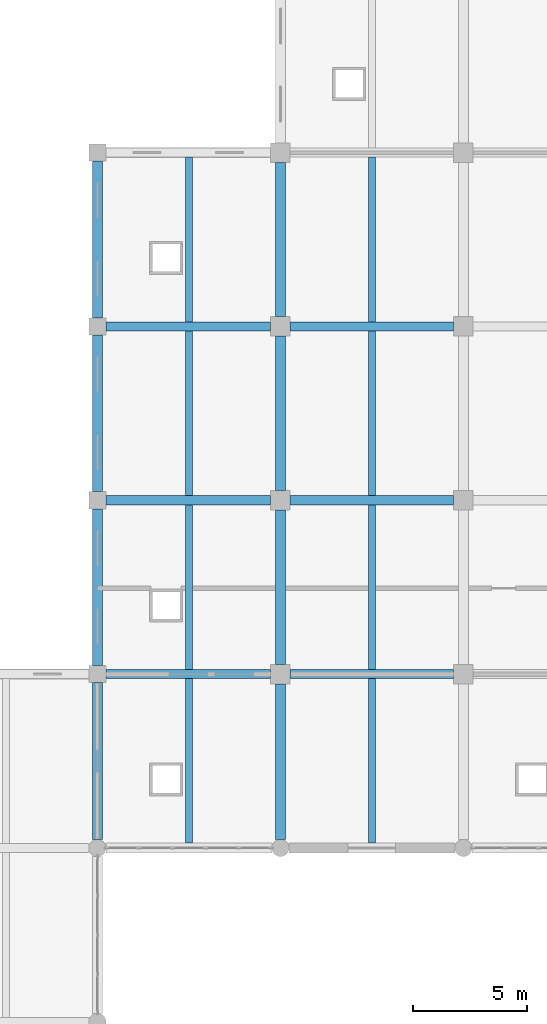
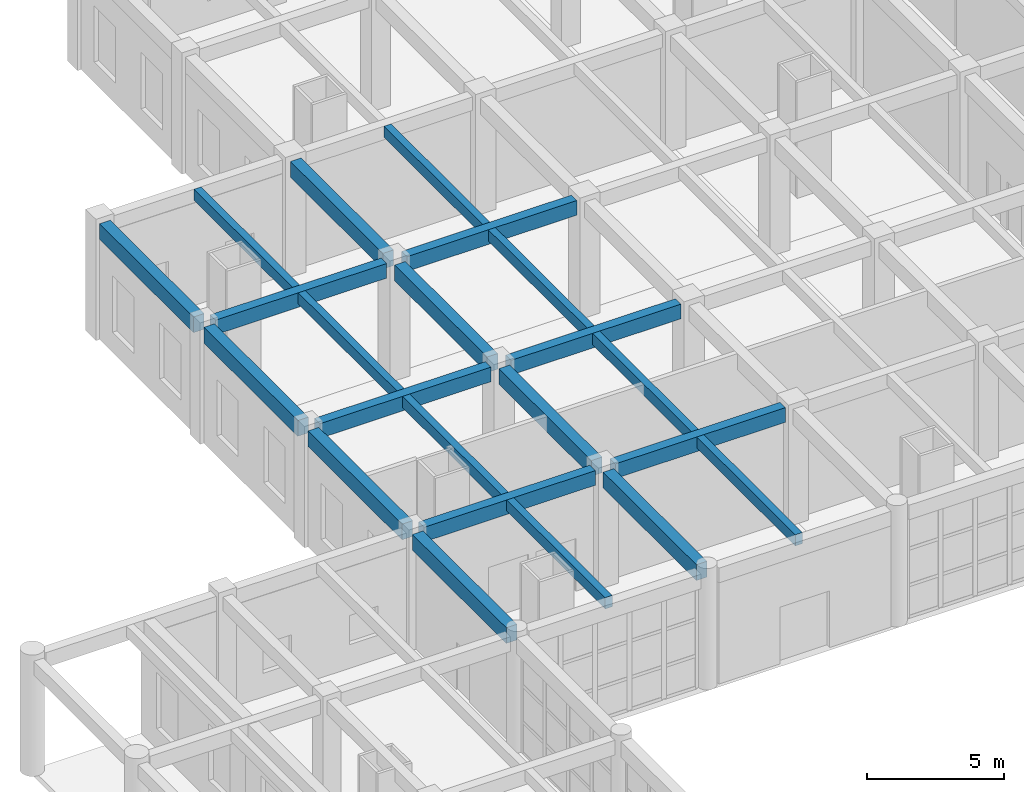
# One storey, part 39 of 95: 22 beams.
"""IFC4 building model written with IfcOpenShell, lengths in metres."""

from ifc_helpers import new_model, si_unit, direction, frame, origin, origin_2d, place, context, subcontext, project, spatial, rectangle, extrude, material, material_profile, profile_set, type_object, element, save


model = new_model("IFC4")

# Units and contexts
model_context = context("Model", 3, precision=1e-05, world=origin(), true_north=direction((0.0, 1.0)))
body_context = subcontext(model_context, "Body", "Model", "MODEL_VIEW")
ifc_project = project(units=[si_unit("LENGTHUNIT", "METRE"), si_unit("AREAUNIT", "SQUARE_METRE"), si_unit("VOLUMEUNIT", "CUBIC_METRE"), si_unit("PLANEANGLEUNIT", "RADIAN"), si_unit("MASSUNIT", "GRAM", prefix="KILO")], contexts=[model_context])

# Site, building, storey
site_placement = place(None, origin())
site = spatial("IfcSite", under=ifc_project, at=site_placement, CompositionType="ELEMENT")
building_placement = place(site_placement, origin())
building = spatial("IfcBuilding", under=site, at=building_placement, Name="Zantavel Square City Hall", CompositionType="ELEMENT")
storey_placement = place(building_placement, origin())
storey = spatial("IfcBuildingStorey", under=building, at=storey_placement, Name="L01", CompositionType="ELEMENT", Elevation=0.0)

# Beams
ifc_material = material(Name="Concrete C35/45", Category="concrete")
ifc_material_profile_1 = material_profile(ifc_material, rectangle(XDim=0.300048828125, YDim=0.5, at=origin_2d()), Name="RC 300x500")
ifc_profile_set_1 = profile_set([ifc_material_profile_1], Name="Concrete C35/45")
beam_type_1 = type_object("IfcBeamType", Name="Floor Joist RC 300x500 C35/45", PredefinedType="JOIST", material=ifc_profile_set_1)
beam_1_placement = place(storey_placement, frame((20.0, 68.625, 4.909912109375), z_axis=(0.0, 1.0, 0.0), x_axis=(-1.0, 0.0, 0.0)))
element("IfcBeam", 1, at=beam_1_placement, inside=storey, type_object=beam_type_1, Name="L01 Floor Joist JST-L01-0200-0684", PredefinedType="JOIST", context=body_context, shape_type="SweptSolid", body=[
    extrude(rectangle(XDim=0.300048828125, YDim=0.5, at=origin_2d()), origin(), (0.0, 0.0, 1.0), 7.175048828125),
])
for number, where, z_axis, x_axis, name in (
    (2, (20.0, 76.199951171875, 4.909912109375), (0.0, 1.0, 0.0), (-1.0, 0.0, 0.0), "L01 Floor Joist JST-L01-0200-0760"),
    (3, (20.0, 83.800048828125, 4.909912109375), (0.0, 1.0, 0.0), (-1.0, 0.0, 0.0), "L01 Floor Joist JST-L01-0200-0836"),
):
    element("IfcBeam", number, at=place(storey_placement, frame(where, z_axis=z_axis, x_axis=x_axis)), inside=storey, type_object=beam_type_1, Name=name, PredefinedType="JOIST", context=body_context, shape_type="SweptSolid", body=[
        extrude(rectangle(XDim=0.300048828125, YDim=0.5, at=origin_2d()), origin(), (0.0, 0.0, 1.0), 7.199951171875),
    ])
beam_2_placement = place(storey_placement, frame((20.0, 91.39990234375, 4.909912109375), z_axis=(0.0, 1.0, 0.0), x_axis=(-1.0, 0.0, 0.0)))
element("IfcBeam", 4, at=beam_2_placement, inside=storey, type_object=beam_type_1, Name="L01 Floor Joist JST-L01-0200-0912", PredefinedType="JOIST", context=body_context, shape_type="SweptSolid", body=[
    extrude(rectangle(XDim=0.300048828125, YDim=0.5, at=origin_2d()), origin(), (0.0, 0.0, 1.0), 7.2001953125),
])
beam_3_placement = place(storey_placement, frame((28.0, 68.625, 4.909912109375), z_axis=(0.0, 1.0, 0.0), x_axis=(-1.0, 0.0, 0.0)))
element("IfcBeam", 5, at=beam_3_placement, inside=storey, type_object=beam_type_1, Name="L01 Floor Joist JST-L01-0280-0684", PredefinedType="JOIST", context=body_context, shape_type="SweptSolid", body=[
    extrude(rectangle(XDim=0.300048828125, YDim=0.5, at=origin_2d()), origin(), (0.0, 0.0, 1.0), 7.175048828125),
])
for number, where, z_axis, x_axis, name in (
    (6, (28.0, 76.199951171875, 4.909912109375), (0.0, 1.0, 0.0), (-1.0, 0.0, 0.0), "L01 Floor Joist JST-L01-0280-0760"),
    (7, (28.0, 83.800048828125, 4.909912109375), (0.0, 1.0, 0.0), (-1.0, 0.0, 0.0), "L01 Floor Joist JST-L01-0280-0836"),
):
    element("IfcBeam", number, at=place(storey_placement, frame(where, z_axis=z_axis, x_axis=x_axis)), inside=storey, type_object=beam_type_1, Name=name, PredefinedType="JOIST", context=body_context, shape_type="SweptSolid", body=[
        extrude(rectangle(XDim=0.300048828125, YDim=0.5, at=origin_2d()), origin(), (0.0, 0.0, 1.0), 7.199951171875),
    ])
beam_4_placement = place(storey_placement, frame((28.0, 91.39990234375, 4.909912109375), z_axis=(0.0, 1.0, 0.0), x_axis=(-1.0, 0.0, 0.0)))
element("IfcBeam", 8, at=beam_4_placement, inside=storey, type_object=beam_type_1, Name="L01 Floor Joist JST-L01-0280-0912", PredefinedType="JOIST", context=body_context, shape_type="SweptSolid", body=[
    extrude(rectangle(XDim=0.300048828125, YDim=0.5, at=origin_2d()), origin(), (0.0, 0.0, 1.0), 7.2001953125),
])
ifc_material_profile_2 = material_profile(ifc_material, rectangle(XDim=0.39990234375, YDim=0.64990234375, at=origin_2d()), Name="RC 400x650")
ifc_profile_set_2 = profile_set([ifc_material_profile_2], Name="Concrete C35/45")
beam_type_2 = type_object("IfcBeamType", Name="Frame Beam RC 400x650 C35/45", PredefinedType="BEAM", material=ifc_profile_set_2)
for number, where, z_axis, x_axis, name in (
    (9, (16.375, 76.0, 4.8349609375), (1.0, 0.0, 0.0), (0.0, 1.0, 0.0), "L01 Girder BMX-L01-0160-0760"),
    (10, (16.375, 83.60009765625, 4.8349609375), (1.0, 0.0, 0.0), (0.0, 1.0, 0.0), "L01 Girder BMX-L01-0160-0836"),
    (11, (16.375, 91.199951171875, 4.8349609375), (1.0, 0.0, 0.0), (0.0, 1.0, 0.0), "L01 Girder BMX-L01-0160-0912"),
):
    element("IfcBeam", number, at=place(storey_placement, frame(where, z_axis=z_axis, x_axis=x_axis)), inside=storey, type_object=beam_type_2, Name=name, PredefinedType="BEAM", context=body_context, shape_type="SweptSolid", body=[
        extrude(rectangle(XDim=0.39990234375, YDim=0.64990234375, at=origin_2d()), origin(), (0.0, 0.0, 1.0), 7.199951171875),
    ])
for number, where, z_axis, x_axis, name in (
    (12, (24.425048828125, 76.0, 4.8349609375), (1.0, 0.0, 0.0), (0.0, 1.0, 0.0), "L01 Girder BMX-L01-0240-0760"),
    (13, (24.425048828125, 83.60009765625, 4.8349609375), (1.0, 0.0, 0.0), (0.0, 1.0, 0.0), "L01 Girder BMX-L01-0240-0836"),
    (14, (24.425048828125, 91.199951171875, 4.8349609375), (1.0, 0.0, 0.0), (0.0, 1.0, 0.0), "L01 Girder BMX-L01-0240-0912"),
):
    element("IfcBeam", number, at=place(storey_placement, frame(where, z_axis=z_axis, x_axis=x_axis)), inside=storey, type_object=beam_type_2, Name=name, PredefinedType="BEAM", context=body_context, shape_type="SweptSolid", body=[
        extrude(rectangle(XDim=0.39990234375, YDim=0.64990234375, at=origin_2d()), origin(), (0.0, 0.0, 1.0), 7.14990234375),
    ])
ifc_material_profile_3 = material_profile(ifc_material, rectangle(XDim=0.449951171875, YDim=0.699951171875, at=origin_2d()), Name="RC 450x700")
ifc_profile_set_3 = profile_set([ifc_material_profile_3], Name="Concrete C35/45")
beam_type_3 = type_object("IfcBeamType", Name="Primary Girder RC 450x700 C35/45", PredefinedType="BEAM", material=ifc_profile_set_3)
for number, where, z_axis, x_axis, name in (
    (15, (16.0, 68.77490234375, 4.81005859375), (0.0, 1.0, 0.0), (-1.0, 0.0, 0.0), "L01 Beam BMY-L01-0160-0684"),
    (16, (16.0, 76.375, 4.81005859375), (0.0, 1.0, 0.0), (-1.0, 0.0, 0.0), "L01 Beam BMY-L01-0160-0760"),
):
    element("IfcBeam", number, at=place(storey_placement, frame(where, z_axis=z_axis, x_axis=x_axis)), inside=storey, type_object=beam_type_3, Name=name, PredefinedType="BEAM", context=body_context, shape_type="SweptSolid", body=[
        extrude(rectangle(XDim=0.449951171875, YDim=0.699951171875, at=origin_2d()), origin(), (0.0, 0.0, 1.0), 6.85009765625),
    ])
beam_5_placement = place(storey_placement, frame((16.0, 83.97509765625, 4.81005859375), z_axis=(0.0, 1.0, 0.0), x_axis=(-1.0, 0.0, 0.0)))
element("IfcBeam", 17, at=beam_5_placement, inside=storey, type_object=beam_type_3, Name="L01 Beam BMY-L01-0160-0836", PredefinedType="BEAM", context=body_context, shape_type="SweptSolid", body=[
    extrude(rectangle(XDim=0.449951171875, YDim=0.699951171875, at=origin_2d()), origin(), (0.0, 0.0, 1.0), 6.849853515625),
])
beam_6_placement = place(storey_placement, frame((16.0, 91.574951171875, 4.81005859375), z_axis=(0.0, 1.0, 0.0), x_axis=(-1.0, 0.0, 0.0)))
element("IfcBeam", 18, at=beam_6_placement, inside=storey, type_object=beam_type_3, Name="L01 Beam BMY-L01-0160-0912", PredefinedType="BEAM", context=body_context, shape_type="SweptSolid", body=[
    extrude(rectangle(XDim=0.449951171875, YDim=0.699951171875, at=origin_2d()), origin(), (0.0, 0.0, 1.0), 6.85009765625),
])
beam_7_placement = place(storey_placement, frame((24.0, 68.77490234375, 4.81005859375), z_axis=(0.0, 1.0, 0.0), x_axis=(-1.0, 0.0, 0.0)))
element("IfcBeam", 19, at=beam_7_placement, inside=storey, type_object=beam_type_3, Name="L01 Beam BMY-L01-0240-0684", PredefinedType="BEAM", context=body_context, shape_type="SweptSolid", body=[
    extrude(rectangle(XDim=0.449951171875, YDim=0.699951171875, at=origin_2d()), origin(), (0.0, 0.0, 1.0), 6.800048828125),
])
for number, where, z_axis, x_axis, name in (
    (20, (24.0, 76.425048828125, 4.81005859375), (0.0, 1.0, 0.0), (-1.0, 0.0, 0.0), "L01 Beam BMY-L01-0240-0760"),
    (21, (24.0, 84.02490234375, 4.81005859375), (0.0, 1.0, 0.0), (-1.0, 0.0, 0.0), "L01 Beam BMY-L01-0240-0836"),
    (22, (24.0, 91.625, 4.81005859375), (0.0, 1.0, 0.0), (-1.0, 0.0, 0.0), "L01 Beam BMY-L01-0240-0912"),
):
    element("IfcBeam", number, at=place(storey_placement, frame(where, z_axis=z_axis, x_axis=x_axis)), inside=storey, type_object=beam_type_3, Name=name, PredefinedType="BEAM", context=body_context, shape_type="SweptSolid", body=[
        extrude(rectangle(XDim=0.449951171875, YDim=0.699951171875, at=origin_2d()), origin(), (0.0, 0.0, 1.0), 6.75),
    ])

save(model, "model.ifc")
